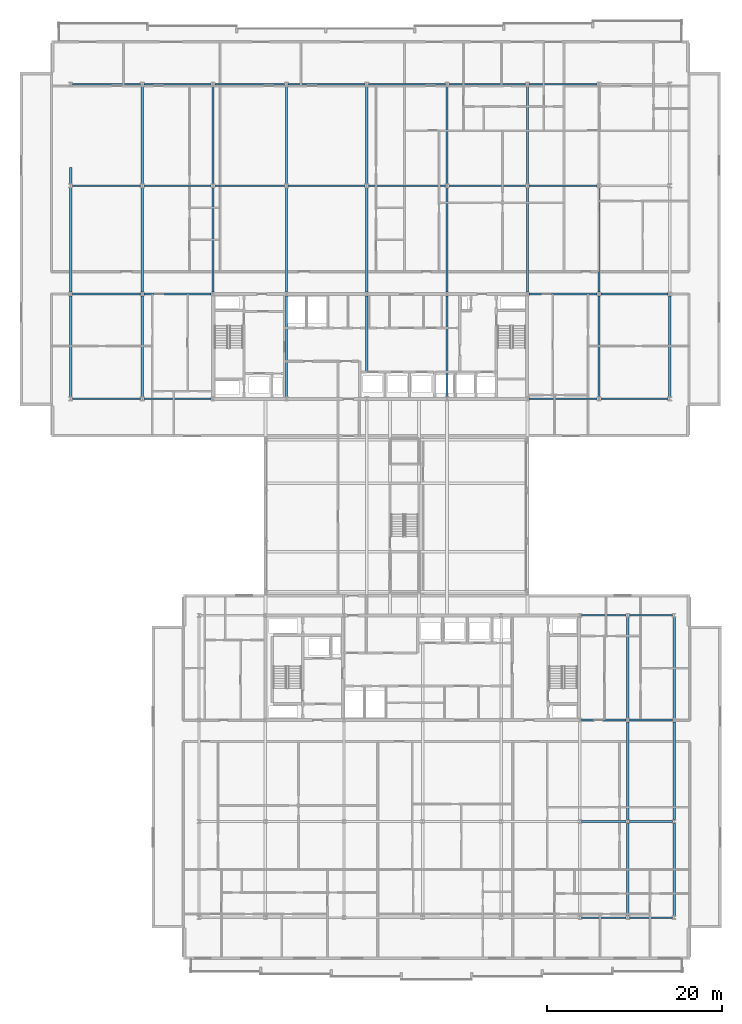
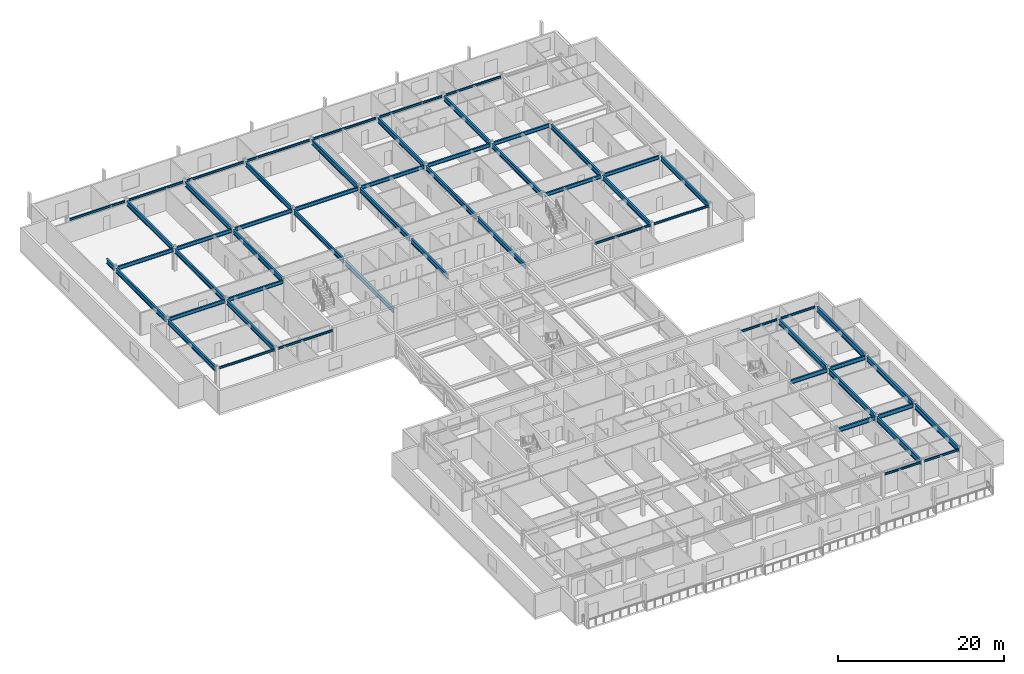
# One storey, part 13 of 36: 58 beams.
"""IFC4 building model written with IfcOpenShell, lengths in metres."""

from ifc_helpers import new_model, si_unit, direction, frame, origin, origin_2d, place, context, subcontext, project, spatial, i_section, extrude, material, material_profile, profile_set, type_object, element, save


model = new_model("IFC4")

# Units and contexts
model_context = context("Model", 3, precision=1e-05, world=origin(), true_north=direction((0.0, 1.0)))
body_context = subcontext(model_context, "Body", "Model", "MODEL_VIEW")
ifc_project = project(units=[si_unit("LENGTHUNIT", "METRE"), si_unit("AREAUNIT", "SQUARE_METRE"), si_unit("VOLUMEUNIT", "CUBIC_METRE"), si_unit("PLANEANGLEUNIT", "RADIAN"), si_unit("MASSUNIT", "GRAM", prefix="KILO")], contexts=[model_context])

# Site, building, storey
site_placement = place(None, origin())
site = spatial("IfcSite", under=ifc_project, at=site_placement, CompositionType="ELEMENT")
building_placement = place(site_placement, origin())
building = spatial("IfcBuilding", under=site, at=building_placement, Name="Korimba Cascade Residences", CompositionType="ELEMENT")
storey_placement = place(building_placement, frame((0.0, 0.0, 139.300048828125)))
storey = spatial("IfcBuildingStorey", under=building, at=storey_placement, Name="L40", CompositionType="ELEMENT", Elevation=139.300048828125)

# Beams
ifc_material = material(Name="Steel S355", Category="steel")
ifc_material_profile_1 = material_profile(ifc_material, i_section(OverallWidth=0.165771484375, OverallDepth=0.306640625, WebThickness=0.006591796875, FlangeThickness=0.01171875, FilletRadius=0.0087890625, at=origin_2d()), Name="Steel S355")
ifc_profile_set_1 = profile_set([ifc_material_profile_1], Name="Steel S355")
beam_type_1 = type_object("IfcBeamType", Name="BM-STL-UB305", PredefinedType="SPANDREL", material=ifc_profile_set_1)
beam_1_placement = place(storey_placement, frame((60.006103515625, 55.199951171875, 3.15673828125), z_axis=(1.0, 0.0, 0.0), x_axis=(0.0, 1.0, 0.0)))
element("IfcBeam", 1, at=beam_1_placement, inside=storey, type_object=beam_type_1, Name="L40 T1 E-W Girder Y1 Bay 1", PredefinedType="SPANDREL", context=body_context, shape_type="SweptSolid", body=[
    extrude(i_section(OverallWidth=0.165771484375, OverallDepth=0.306640625, WebThickness=0.006591796875, FlangeThickness=0.01171875, FilletRadius=0.0087890625, at=origin_2d()), origin(), (0.0, 0.0, 1.0), 7.787841796875),
])
beam_2_placement = place(storey_placement, frame((68.2060546875, 55.199951171875, 3.15673828125), z_axis=(1.0, 0.0, 0.0), x_axis=(0.0, 1.0, 0.0)))
element("IfcBeam", 2, at=beam_2_placement, inside=storey, type_object=beam_type_1, Name="L40 T1 E-W Girder Y1 Bay 2", PredefinedType="SPANDREL", context=body_context, shape_type="SweptSolid", body=[
    extrude(i_section(OverallWidth=0.165771484375, OverallDepth=0.306640625, WebThickness=0.006591796875, FlangeThickness=0.01171875, FilletRadius=0.0087890625, at=origin_2d()), origin(), (0.0, 0.0, 1.0), 7.687744140625),
])
beam_3_placement = place(storey_placement, frame((112.30615234375, 55.199951171875, 3.15673828125), z_axis=(1.0, 0.0, 0.0), x_axis=(0.0, 1.0, 0.0)))
element("IfcBeam", 3, at=beam_3_placement, inside=storey, type_object=beam_type_1, Name="L40 T1 E-W Girder Y1 Bay 7", PredefinedType="SPANDREL", context=body_context, shape_type="SweptSolid", body=[
    extrude(i_section(OverallWidth=0.165771484375, OverallDepth=0.306640625, WebThickness=0.006591796875, FlangeThickness=0.01171875, FilletRadius=0.0087890625, at=origin_2d()), origin(), (0.0, 0.0, 1.0), 7.787841796875),
])
beam_4_placement = place(storey_placement, frame((120.506103515625, 55.199951171875, 3.15673828125), z_axis=(1.0, 0.0, 0.0), x_axis=(0.0, 1.0, 0.0)))
element("IfcBeam", 4, at=beam_4_placement, inside=storey, type_object=beam_type_1, Name="L40 T1 E-W Girder Y1 Bay 8", PredefinedType="SPANDREL", context=body_context, shape_type="SweptSolid", body=[
    extrude(i_section(OverallWidth=0.165771484375, OverallDepth=0.306640625, WebThickness=0.006591796875, FlangeThickness=0.01171875, FilletRadius=0.0087890625, at=origin_2d()), origin(), (0.0, 0.0, 1.0), 7.687744140625),
])
beam_5_placement = place(storey_placement, frame((60.006103515625, 91.199951171875, 3.15673828125), z_axis=(1.0, 0.0, 0.0), x_axis=(0.0, 1.0, 0.0)))
element("IfcBeam", 5, at=beam_5_placement, inside=storey, type_object=beam_type_1, Name="L40 T1 E-W Girder Y4 Bay 1", PredefinedType="SPANDREL", context=body_context, shape_type="SweptSolid", body=[
    extrude(i_section(OverallWidth=0.165771484375, OverallDepth=0.306640625, WebThickness=0.006591796875, FlangeThickness=0.01171875, FilletRadius=0.0087890625, at=origin_2d()), origin(), (0.0, 0.0, 1.0), 7.787841796875),
])
beam_6_placement = place(storey_placement, frame((68.2060546875, 91.199951171875, 3.15673828125), z_axis=(1.0, 0.0, 0.0), x_axis=(0.0, 1.0, 0.0)))
element("IfcBeam", 6, at=beam_6_placement, inside=storey, type_object=beam_type_1, Name="L40 T1 E-W Girder Y4 Bay 2", PredefinedType="SPANDREL", context=body_context, shape_type="SweptSolid", body=[
    extrude(i_section(OverallWidth=0.165771484375, OverallDepth=0.306640625, WebThickness=0.006591796875, FlangeThickness=0.01171875, FilletRadius=0.0087890625, at=origin_2d()), origin(), (0.0, 0.0, 1.0), 7.687744140625),
])
beam_7_placement = place(storey_placement, frame((76.30615234375, 91.199951171875, 3.15673828125), z_axis=(1.0, 0.0, 0.0), x_axis=(0.0, 1.0, 0.0)))
element("IfcBeam", 7, at=beam_7_placement, inside=storey, type_object=beam_type_1, Name="L40 T1 E-W Girder Y4 Bay 3", PredefinedType="SPANDREL", context=body_context, shape_type="SweptSolid", body=[
    extrude(i_section(OverallWidth=0.165771484375, OverallDepth=0.306640625, WebThickness=0.006591796875, FlangeThickness=0.01171875, FilletRadius=0.0087890625, at=origin_2d()), origin(), (0.0, 0.0, 1.0), 7.98779296875),
])
for number, where, z_axis, x_axis, name in (
    (8, (84.7060546875, 91.199951171875, 3.15673828125), (1.0, 0.0, 0.0), (0.0, 1.0, 0.0), "L40 T1 E-W Girder Y4 Bay 4"),
    (9, (93.906005859375, 91.199951171875, 3.15673828125), (1.0, 0.0, 0.0), (0.0, 1.0, 0.0), "L40 T1 E-W Girder Y4 Bay 5"),
):
    element("IfcBeam", number, at=place(storey_placement, frame(where, z_axis=z_axis, x_axis=x_axis)), inside=storey, type_object=beam_type_1, Name=name, PredefinedType="SPANDREL", context=body_context, shape_type="SweptSolid", body=[
        extrude(i_section(OverallWidth=0.165771484375, OverallDepth=0.306640625, WebThickness=0.006591796875, FlangeThickness=0.01171875, FilletRadius=0.0087890625, at=origin_2d()), origin(), (0.0, 0.0, 1.0), 8.787841796875),
    ])
beam_8_placement = place(storey_placement, frame((103.106201171875, 91.199951171875, 3.15673828125), z_axis=(1.0, 0.0, 0.0), x_axis=(0.0, 1.0, 0.0)))
element("IfcBeam", 10, at=beam_8_placement, inside=storey, type_object=beam_type_1, Name="L40 T1 E-W Girder Y4 Bay 6", PredefinedType="SPANDREL", context=body_context, shape_type="SweptSolid", body=[
    extrude(i_section(OverallWidth=0.165771484375, OverallDepth=0.306640625, WebThickness=0.006591796875, FlangeThickness=0.01171875, FilletRadius=0.0087890625, at=origin_2d()), origin(), (0.0, 0.0, 1.0), 8.78759765625),
])
beam_9_placement = place(storey_placement, frame((112.30615234375, 91.199951171875, 3.15673828125), z_axis=(1.0, 0.0, 0.0), x_axis=(0.0, 1.0, 0.0)))
element("IfcBeam", 11, at=beam_9_placement, inside=storey, type_object=beam_type_1, Name="L40 T1 E-W Girder Y4 Bay 7", PredefinedType="SPANDREL", context=body_context, shape_type="SweptSolid", body=[
    extrude(i_section(OverallWidth=0.165771484375, OverallDepth=0.306640625, WebThickness=0.006591796875, FlangeThickness=0.01171875, FilletRadius=0.0087890625, at=origin_2d()), origin(), (0.0, 0.0, 1.0), 7.787841796875),
])
beam_10_placement = place(storey_placement, frame((118.301513671875, -4.199951171875, 3.15673828125), z_axis=(1.0, 0.0, 0.0), x_axis=(0.0, 1.0, 0.0)))
element("IfcBeam", 12, at=beam_10_placement, inside=storey, type_object=beam_type_1, Name="L40 T2 E-W Girder Y1 Bay 6", PredefinedType="SPANDREL", context=body_context, shape_type="SweptSolid", body=[
    extrude(i_section(OverallWidth=0.165771484375, OverallDepth=0.306640625, WebThickness=0.006591796875, FlangeThickness=0.01171875, FilletRadius=0.0087890625, at=origin_2d()), origin(), (0.0, 0.0, 1.0), 5.096923828125),
])
beam_11_placement = place(storey_placement, frame((123.801513671875, -4.199951171875, 3.15673828125), z_axis=(1.0, 0.0, 0.0), x_axis=(0.0, 1.0, 0.0)))
element("IfcBeam", 13, at=beam_11_placement, inside=storey, type_object=beam_type_1, Name="L40 T2 E-W Girder Y1 Bay 7", PredefinedType="SPANDREL", context=body_context, shape_type="SweptSolid", body=[
    extrude(i_section(OverallWidth=0.165771484375, OverallDepth=0.306640625, WebThickness=0.006591796875, FlangeThickness=0.01171875, FilletRadius=0.0087890625, at=origin_2d()), origin(), (0.0, 0.0, 1.0), 4.89697265625),
])
beam_12_placement = place(storey_placement, frame((118.301513671875, 30.39990234375, 3.15673828125), z_axis=(1.0, 0.0, 0.0), x_axis=(0.0, 1.0, 0.0)))
element("IfcBeam", 14, at=beam_12_placement, inside=storey, type_object=beam_type_1, Name="L40 T2 E-W Girder Y4 Bay 6", PredefinedType="SPANDREL", context=body_context, shape_type="SweptSolid", body=[
    extrude(i_section(OverallWidth=0.165771484375, OverallDepth=0.306640625, WebThickness=0.006591796875, FlangeThickness=0.01171875, FilletRadius=0.0087890625, at=origin_2d()), origin(), (0.0, 0.0, 1.0), 5.096923828125),
])
beam_13_placement = place(storey_placement, frame((123.801513671875, 30.39990234375, 3.15673828125), z_axis=(1.0, 0.0, 0.0), x_axis=(0.0, 1.0, 0.0)))
element("IfcBeam", 15, at=beam_13_placement, inside=storey, type_object=beam_type_1, Name="L40 T2 E-W Girder Y4 Bay 7", PredefinedType="SPANDREL", context=body_context, shape_type="SweptSolid", body=[
    extrude(i_section(OverallWidth=0.165771484375, OverallDepth=0.306640625, WebThickness=0.006591796875, FlangeThickness=0.01171875, FilletRadius=0.0087890625, at=origin_2d()), origin(), (0.0, 0.0, 1.0), 4.89697265625),
])
ifc_material_profile_2 = material_profile(ifc_material, i_section(OverallWidth=0.2099609375, OverallDepth=0.53662109375, WebThickness=0.0107421875, FlangeThickness=0.017333984375, FilletRadius=0.0126953125, at=origin_2d()), Name="Steel S355")
ifc_profile_set_2 = profile_set([ifc_material_profile_2], Name="Steel S355")
beam_type_2 = type_object("IfcBeamType", Name="BM-STL-UB533", PredefinedType="BEAM", material=ifc_profile_set_2)
beam_14_placement = place(storey_placement, frame((60.006103515625, 67.199951171875, 3.041748046875), z_axis=(1.0, 0.0, 0.0), x_axis=(0.0, 1.0, 0.0)))
element("IfcBeam", 16, at=beam_14_placement, inside=storey, type_object=beam_type_2, Name="L40 T1 E-W Girder Y2 Bay 1", PredefinedType="BEAM", context=body_context, shape_type="SweptSolid", body=[
    extrude(i_section(OverallWidth=0.2099609375, OverallDepth=0.53662109375, WebThickness=0.0107421875, FlangeThickness=0.017333984375, FilletRadius=0.0126953125, at=origin_2d()), origin(), (0.0, 0.0, 1.0), 7.787841796875),
])
beam_15_placement = place(storey_placement, frame((68.2060546875, 67.199951171875, 3.041748046875), z_axis=(1.0, 0.0, 0.0), x_axis=(0.0, 1.0, 0.0)))
element("IfcBeam", 17, at=beam_15_placement, inside=storey, type_object=beam_type_2, Name="L40 T1 E-W Girder Y2 Bay 2", PredefinedType="BEAM", context=body_context, shape_type="SweptSolid", body=[
    extrude(i_section(OverallWidth=0.2099609375, OverallDepth=0.53662109375, WebThickness=0.0107421875, FlangeThickness=0.017333984375, FilletRadius=0.0126953125, at=origin_2d()), origin(), (0.0, 0.0, 1.0), 7.687744140625),
])
beam_16_placement = place(storey_placement, frame((112.30615234375, 67.199951171875, 3.041748046875), z_axis=(1.0, 0.0, 0.0), x_axis=(0.0, 1.0, 0.0)))
element("IfcBeam", 18, at=beam_16_placement, inside=storey, type_object=beam_type_2, Name="L40 T1 E-W Girder Y2 Bay 7", PredefinedType="BEAM", context=body_context, shape_type="SweptSolid", body=[
    extrude(i_section(OverallWidth=0.2099609375, OverallDepth=0.53662109375, WebThickness=0.0107421875, FlangeThickness=0.017333984375, FilletRadius=0.0126953125, at=origin_2d()), origin(), (0.0, 0.0, 1.0), 7.787841796875),
])
beam_17_placement = place(storey_placement, frame((120.506103515625, 67.199951171875, 3.041748046875), z_axis=(1.0, 0.0, 0.0), x_axis=(0.0, 1.0, 0.0)))
element("IfcBeam", 19, at=beam_17_placement, inside=storey, type_object=beam_type_2, Name="L40 T1 E-W Girder Y2 Bay 8", PredefinedType="BEAM", context=body_context, shape_type="SweptSolid", body=[
    extrude(i_section(OverallWidth=0.2099609375, OverallDepth=0.53662109375, WebThickness=0.0107421875, FlangeThickness=0.017333984375, FilletRadius=0.0126953125, at=origin_2d()), origin(), (0.0, 0.0, 1.0), 7.687744140625),
])
beam_18_placement = place(storey_placement, frame((60.006103515625, 79.60009765625, 3.041748046875), z_axis=(1.0, 0.0, 0.0), x_axis=(0.0, 1.0, 0.0)))
element("IfcBeam", 20, at=beam_18_placement, inside=storey, type_object=beam_type_2, Name="L40 T1 E-W Girder Y3 Bay 1", PredefinedType="BEAM", context=body_context, shape_type="SweptSolid", body=[
    extrude(i_section(OverallWidth=0.2099609375, OverallDepth=0.53662109375, WebThickness=0.0107421875, FlangeThickness=0.017333984375, FilletRadius=0.0126953125, at=origin_2d()), origin(), (0.0, 0.0, 1.0), 7.787841796875),
])
beam_19_placement = place(storey_placement, frame((68.2060546875, 79.60009765625, 3.041748046875), z_axis=(1.0, 0.0, 0.0), x_axis=(0.0, 1.0, 0.0)))
element("IfcBeam", 21, at=beam_19_placement, inside=storey, type_object=beam_type_2, Name="L40 T1 E-W Girder Y3 Bay 2", PredefinedType="BEAM", context=body_context, shape_type="SweptSolid", body=[
    extrude(i_section(OverallWidth=0.2099609375, OverallDepth=0.53662109375, WebThickness=0.0107421875, FlangeThickness=0.017333984375, FilletRadius=0.0126953125, at=origin_2d()), origin(), (0.0, 0.0, 1.0), 7.687744140625),
])
beam_20_placement = place(storey_placement, frame((76.30615234375, 79.60009765625, 3.041748046875), z_axis=(1.0, 0.0, 0.0), x_axis=(0.0, 1.0, 0.0)))
element("IfcBeam", 22, at=beam_20_placement, inside=storey, type_object=beam_type_2, Name="L40 T1 E-W Girder Y3 Bay 3", PredefinedType="BEAM", context=body_context, shape_type="SweptSolid", body=[
    extrude(i_section(OverallWidth=0.2099609375, OverallDepth=0.53662109375, WebThickness=0.0107421875, FlangeThickness=0.017333984375, FilletRadius=0.0126953125, at=origin_2d()), origin(), (0.0, 0.0, 1.0), 7.98779296875),
])
for number, where, z_axis, x_axis, name in (
    (23, (84.7060546875, 79.60009765625, 3.041748046875), (1.0, 0.0, 0.0), (0.0, 1.0, 0.0), "L40 T1 E-W Girder Y3 Bay 4"),
    (24, (93.906005859375, 79.60009765625, 3.041748046875), (1.0, 0.0, 0.0), (0.0, 1.0, 0.0), "L40 T1 E-W Girder Y3 Bay 5"),
):
    element("IfcBeam", number, at=place(storey_placement, frame(where, z_axis=z_axis, x_axis=x_axis)), inside=storey, type_object=beam_type_2, Name=name, PredefinedType="BEAM", context=body_context, shape_type="SweptSolid", body=[
        extrude(i_section(OverallWidth=0.2099609375, OverallDepth=0.53662109375, WebThickness=0.0107421875, FlangeThickness=0.017333984375, FilletRadius=0.0126953125, at=origin_2d()), origin(), (0.0, 0.0, 1.0), 8.787841796875),
    ])
beam_21_placement = place(storey_placement, frame((103.106201171875, 79.60009765625, 3.041748046875), z_axis=(1.0, 0.0, 0.0), x_axis=(0.0, 1.0, 0.0)))
element("IfcBeam", 25, at=beam_21_placement, inside=storey, type_object=beam_type_2, Name="L40 T1 E-W Girder Y3 Bay 6", PredefinedType="BEAM", context=body_context, shape_type="SweptSolid", body=[
    extrude(i_section(OverallWidth=0.2099609375, OverallDepth=0.53662109375, WebThickness=0.0107421875, FlangeThickness=0.017333984375, FilletRadius=0.0126953125, at=origin_2d()), origin(), (0.0, 0.0, 1.0), 8.78759765625),
])
beam_22_placement = place(storey_placement, frame((112.30615234375, 79.60009765625, 3.041748046875), z_axis=(1.0, 0.0, 0.0), x_axis=(0.0, 1.0, 0.0)))
element("IfcBeam", 26, at=beam_22_placement, inside=storey, type_object=beam_type_2, Name="L40 T1 E-W Girder Y3 Bay 7", PredefinedType="BEAM", context=body_context, shape_type="SweptSolid", body=[
    extrude(i_section(OverallWidth=0.2099609375, OverallDepth=0.53662109375, WebThickness=0.0107421875, FlangeThickness=0.017333984375, FilletRadius=0.0126953125, at=origin_2d()), origin(), (0.0, 0.0, 1.0), 7.787841796875),
])
ifc_material_profile_3 = material_profile(ifc_material, i_section(OverallWidth=0.22900390625, OverallDepth=0.6123046875, WebThickness=0.011962890625, FlangeThickness=0.01953125, FilletRadius=0.0126953125, at=origin_2d()), Name="Steel S355")
ifc_profile_set_3 = profile_set([ifc_material_profile_3], Name="Steel S355")
beam_type_3 = type_object("IfcBeamType", Name="BM-STL-UB610B", PredefinedType="BEAM", material=ifc_profile_set_3)
beam_23_placement = place(storey_placement, frame((118.301513671875, 6.800048828125, 3.00390625), z_axis=(1.0, 0.0, 0.0), x_axis=(0.0, 1.0, 0.0)))
element("IfcBeam", 27, at=beam_23_placement, inside=storey, type_object=beam_type_3, Name="L40 T2 E-W Girder Y2 Bay 6", PredefinedType="BEAM", context=body_context, shape_type="SweptSolid", body=[
    extrude(i_section(OverallWidth=0.22900390625, OverallDepth=0.6123046875, WebThickness=0.011962890625, FlangeThickness=0.01953125, FilletRadius=0.0126953125, at=origin_2d()), origin(), (0.0, 0.0, 1.0), 5.096923828125),
])
beam_24_placement = place(storey_placement, frame((123.801513671875, 6.800048828125, 3.00390625), z_axis=(1.0, 0.0, 0.0), x_axis=(0.0, 1.0, 0.0)))
element("IfcBeam", 28, at=beam_24_placement, inside=storey, type_object=beam_type_3, Name="L40 T2 E-W Girder Y2 Bay 7", PredefinedType="BEAM", context=body_context, shape_type="SweptSolid", body=[
    extrude(i_section(OverallWidth=0.22900390625, OverallDepth=0.6123046875, WebThickness=0.011962890625, FlangeThickness=0.01953125, FilletRadius=0.0126953125, at=origin_2d()), origin(), (0.0, 0.0, 1.0), 4.89697265625),
])
beam_25_placement = place(storey_placement, frame((118.301513671875, 18.39990234375, 3.00390625), z_axis=(1.0, 0.0, 0.0), x_axis=(0.0, 1.0, 0.0)))
element("IfcBeam", 29, at=beam_25_placement, inside=storey, type_object=beam_type_3, Name="L40 T2 E-W Girder Y3 Bay 6", PredefinedType="BEAM", context=body_context, shape_type="SweptSolid", body=[
    extrude(i_section(OverallWidth=0.22900390625, OverallDepth=0.6123046875, WebThickness=0.011962890625, FlangeThickness=0.01953125, FilletRadius=0.0126953125, at=origin_2d()), origin(), (0.0, 0.0, 1.0), 5.096923828125),
])
beam_26_placement = place(storey_placement, frame((123.801513671875, 18.39990234375, 3.00390625), z_axis=(1.0, 0.0, 0.0), x_axis=(0.0, 1.0, 0.0)))
element("IfcBeam", 30, at=beam_26_placement, inside=storey, type_object=beam_type_3, Name="L40 T2 E-W Girder Y3 Bay 7", PredefinedType="BEAM", context=body_context, shape_type="SweptSolid", body=[
    extrude(i_section(OverallWidth=0.22900390625, OverallDepth=0.6123046875, WebThickness=0.011962890625, FlangeThickness=0.01953125, FilletRadius=0.0126953125, at=origin_2d()), origin(), (0.0, 0.0, 1.0), 4.89697265625),
])
ifc_material_profile_4 = material_profile(ifc_material, i_section(OverallWidth=0.255859375, OverallDepth=0.69287109375, WebThickness=0.014404296875, FlangeThickness=0.023681640625, FilletRadius=0.01513671875, at=origin_2d()), Name="Steel S355")
ifc_profile_set_4 = profile_set([ifc_material_profile_4], Name="Steel S355")
beam_type_4 = type_object("IfcBeamType", Name="BM-STL-UB686", PredefinedType="BEAM", material=ifc_profile_set_4)
beam_27_placement = place(storey_placement, frame((59.800048828125, 55.418212890625, 2.963623046875), z_axis=(0.0, 1.0, 0.0), x_axis=(-1.0, 0.0, 0.0)))
element("IfcBeam", 31, at=beam_27_placement, inside=storey, type_object=beam_type_4, Name="L40 T1 N-S Girder X1 Seg 1", PredefinedType="BEAM", context=body_context, shape_type="SweptSolid", body=[
    extrude(i_section(OverallWidth=0.255859375, OverallDepth=0.69287109375, WebThickness=0.014404296875, FlangeThickness=0.023681640625, FilletRadius=0.01513671875, at=origin_2d()), origin(), (0.0, 0.0, 1.0), 11.5634765625),
])
beam_28_placement = place(storey_placement, frame((59.800048828125, 67.418212890625, 2.963623046875), z_axis=(0.0, 1.0, 0.0), x_axis=(-1.0, 0.0, 0.0)))
element("IfcBeam", 32, at=beam_28_placement, inside=storey, type_object=beam_type_4, Name="L40 T1 N-S Girder X1 Seg 2", PredefinedType="BEAM", context=body_context, shape_type="SweptSolid", body=[
    extrude(i_section(OverallWidth=0.255859375, OverallDepth=0.69287109375, WebThickness=0.014404296875, FlangeThickness=0.023681640625, FilletRadius=0.01513671875, at=origin_2d()), origin(), (0.0, 0.0, 1.0), 11.96337890625),
])
beam_29_placement = place(storey_placement, frame((59.800048828125, 79.818359375, 2.963623046875), z_axis=(0.0, 1.0, 0.0), x_axis=(-1.0, 0.0, 0.0)))
element("IfcBeam", 33, at=beam_29_placement, inside=storey, type_object=beam_type_4, Name="L40 T1 N-S Girder X1 Seg 3", PredefinedType="BEAM", context=body_context, shape_type="SweptSolid", body=[
    extrude(i_section(OverallWidth=0.255859375, OverallDepth=0.69287109375, WebThickness=0.014404296875, FlangeThickness=0.023681640625, FilletRadius=0.01513671875, at=origin_2d()), origin(), (0.0, 0.0, 1.0), 1.881591796875),
])
beam_30_placement = place(storey_placement, frame((68.0, 55.418212890625, 2.963623046875), z_axis=(0.0, 1.0, 0.0), x_axis=(-1.0, 0.0, 0.0)))
element("IfcBeam", 34, at=beam_30_placement, inside=storey, type_object=beam_type_4, Name="L40 T1 N-S Girder X2 Seg 1", PredefinedType="BEAM", context=body_context, shape_type="SweptSolid", body=[
    extrude(i_section(OverallWidth=0.255859375, OverallDepth=0.69287109375, WebThickness=0.014404296875, FlangeThickness=0.023681640625, FilletRadius=0.01513671875, at=origin_2d()), origin(), (0.0, 0.0, 1.0), 11.5634765625),
])
beam_31_placement = place(storey_placement, frame((68.0, 67.418212890625, 2.963623046875), z_axis=(0.0, 1.0, 0.0), x_axis=(-1.0, 0.0, 0.0)))
element("IfcBeam", 35, at=beam_31_placement, inside=storey, type_object=beam_type_4, Name="L40 T1 N-S Girder X2 Seg 2", PredefinedType="BEAM", context=body_context, shape_type="SweptSolid", body=[
    extrude(i_section(OverallWidth=0.255859375, OverallDepth=0.69287109375, WebThickness=0.014404296875, FlangeThickness=0.023681640625, FilletRadius=0.01513671875, at=origin_2d()), origin(), (0.0, 0.0, 1.0), 11.96337890625),
])
beam_32_placement = place(storey_placement, frame((68.0, 79.818359375, 2.963623046875), z_axis=(0.0, 1.0, 0.0), x_axis=(-1.0, 0.0, 0.0)))
element("IfcBeam", 36, at=beam_32_placement, inside=storey, type_object=beam_type_4, Name="L40 T1 N-S Girder X2 Seg 3", PredefinedType="BEAM", context=body_context, shape_type="SweptSolid", body=[
    extrude(i_section(OverallWidth=0.255859375, OverallDepth=0.69287109375, WebThickness=0.014404296875, FlangeThickness=0.023681640625, FilletRadius=0.01513671875, at=origin_2d()), origin(), (0.0, 0.0, 1.0), 11.163330078125),
])
beam_33_placement = place(storey_placement, frame((76.10009765625, 67.418212890625, 2.963623046875), z_axis=(0.0, 1.0, 0.0), x_axis=(-1.0, 0.0, 0.0)))
element("IfcBeam", 37, at=beam_33_placement, inside=storey, type_object=beam_type_4, Name="L40 T1 N-S Girder X3 Seg 2", PredefinedType="BEAM", context=body_context, shape_type="SweptSolid", body=[
    extrude(i_section(OverallWidth=0.255859375, OverallDepth=0.69287109375, WebThickness=0.014404296875, FlangeThickness=0.023681640625, FilletRadius=0.01513671875, at=origin_2d()), origin(), (0.0, 0.0, 1.0), 11.96337890625),
])
beam_34_placement = place(storey_placement, frame((76.10009765625, 79.818359375, 2.963623046875), z_axis=(0.0, 1.0, 0.0), x_axis=(-1.0, 0.0, 0.0)))
element("IfcBeam", 38, at=beam_34_placement, inside=storey, type_object=beam_type_4, Name="L40 T1 N-S Girder X3 Seg 3", PredefinedType="BEAM", context=body_context, shape_type="SweptSolid", body=[
    extrude(i_section(OverallWidth=0.255859375, OverallDepth=0.69287109375, WebThickness=0.014404296875, FlangeThickness=0.023681640625, FilletRadius=0.01513671875, at=origin_2d()), origin(), (0.0, 0.0, 1.0), 11.163330078125),
])
beam_35_placement = place(storey_placement, frame((84.5, 55.418212890625, 2.963623046875), z_axis=(0.0, 1.0, 0.0), x_axis=(-1.0, 0.0, 0.0)))
element("IfcBeam", 39, at=beam_35_placement, inside=storey, type_object=beam_type_4, Name="L40 T1 N-S Girder X4 Seg 1", PredefinedType="BEAM", context=body_context, shape_type="SweptSolid", body=[
    extrude(i_section(OverallWidth=0.255859375, OverallDepth=0.69287109375, WebThickness=0.014404296875, FlangeThickness=0.023681640625, FilletRadius=0.01513671875, at=origin_2d()), origin(), (0.0, 0.0, 1.0), 11.5634765625),
])
beam_36_placement = place(storey_placement, frame((84.5, 67.418212890625, 2.963623046875), z_axis=(0.0, 1.0, 0.0), x_axis=(-1.0, 0.0, 0.0)))
element("IfcBeam", 40, at=beam_36_placement, inside=storey, type_object=beam_type_4, Name="L40 T1 N-S Girder X4 Seg 2", PredefinedType="BEAM", context=body_context, shape_type="SweptSolid", body=[
    extrude(i_section(OverallWidth=0.255859375, OverallDepth=0.69287109375, WebThickness=0.014404296875, FlangeThickness=0.023681640625, FilletRadius=0.01513671875, at=origin_2d()), origin(), (0.0, 0.0, 1.0), 11.96337890625),
])
beam_37_placement = place(storey_placement, frame((84.5, 79.818359375, 2.963623046875), z_axis=(0.0, 1.0, 0.0), x_axis=(-1.0, 0.0, 0.0)))
element("IfcBeam", 41, at=beam_37_placement, inside=storey, type_object=beam_type_4, Name="L40 T1 N-S Girder X4 Seg 3", PredefinedType="BEAM", context=body_context, shape_type="SweptSolid", body=[
    extrude(i_section(OverallWidth=0.255859375, OverallDepth=0.69287109375, WebThickness=0.014404296875, FlangeThickness=0.023681640625, FilletRadius=0.01513671875, at=origin_2d()), origin(), (0.0, 0.0, 1.0), 11.163330078125),
])
beam_38_placement = place(storey_placement, frame((93.699951171875, 58.159912109375, 2.963623046875), z_axis=(0.0, 1.0, 0.0), x_axis=(-1.0, 0.0, 0.0)))
element("IfcBeam", 42, at=beam_38_placement, inside=storey, type_object=beam_type_4, Name="L40 T1 N-S Girder X5 Seg 1", PredefinedType="BEAM", context=body_context, shape_type="SweptSolid", body=[
    extrude(i_section(OverallWidth=0.255859375, OverallDepth=0.69287109375, WebThickness=0.014404296875, FlangeThickness=0.023681640625, FilletRadius=0.01513671875, at=origin_2d()), origin(), (0.0, 0.0, 1.0), 8.82177734375),
])
beam_39_placement = place(storey_placement, frame((93.699951171875, 67.418212890625, 2.963623046875), z_axis=(0.0, 1.0, 0.0), x_axis=(-1.0, 0.0, 0.0)))
element("IfcBeam", 43, at=beam_39_placement, inside=storey, type_object=beam_type_4, Name="L40 T1 N-S Girder X5 Seg 2", PredefinedType="BEAM", context=body_context, shape_type="SweptSolid", body=[
    extrude(i_section(OverallWidth=0.255859375, OverallDepth=0.69287109375, WebThickness=0.014404296875, FlangeThickness=0.023681640625, FilletRadius=0.01513671875, at=origin_2d()), origin(), (0.0, 0.0, 1.0), 11.96337890625),
])
beam_40_placement = place(storey_placement, frame((93.699951171875, 79.818359375, 2.963623046875), z_axis=(0.0, 1.0, 0.0), x_axis=(-1.0, 0.0, 0.0)))
element("IfcBeam", 44, at=beam_40_placement, inside=storey, type_object=beam_type_4, Name="L40 T1 N-S Girder X5 Seg 3", PredefinedType="BEAM", context=body_context, shape_type="SweptSolid", body=[
    extrude(i_section(OverallWidth=0.255859375, OverallDepth=0.69287109375, WebThickness=0.014404296875, FlangeThickness=0.023681640625, FilletRadius=0.01513671875, at=origin_2d()), origin(), (0.0, 0.0, 1.0), 11.163330078125),
])
beam_41_placement = place(storey_placement, frame((102.89990234375, 55.418212890625, 2.963623046875), z_axis=(0.0, 1.0, 0.0), x_axis=(-1.0, 0.0, 0.0)))
element("IfcBeam", 45, at=beam_41_placement, inside=storey, type_object=beam_type_4, Name="L40 T1 N-S Girder X6 Seg 1", PredefinedType="BEAM", context=body_context, shape_type="SweptSolid", body=[
    extrude(i_section(OverallWidth=0.255859375, OverallDepth=0.69287109375, WebThickness=0.014404296875, FlangeThickness=0.023681640625, FilletRadius=0.01513671875, at=origin_2d()), origin(), (0.0, 0.0, 1.0), 11.5634765625),
])
beam_42_placement = place(storey_placement, frame((102.89990234375, 67.418212890625, 2.963623046875), z_axis=(0.0, 1.0, 0.0), x_axis=(-1.0, 0.0, 0.0)))
element("IfcBeam", 46, at=beam_42_placement, inside=storey, type_object=beam_type_4, Name="L40 T1 N-S Girder X6 Seg 2", PredefinedType="BEAM", context=body_context, shape_type="SweptSolid", body=[
    extrude(i_section(OverallWidth=0.255859375, OverallDepth=0.69287109375, WebThickness=0.014404296875, FlangeThickness=0.023681640625, FilletRadius=0.01513671875, at=origin_2d()), origin(), (0.0, 0.0, 1.0), 11.96337890625),
])
beam_43_placement = place(storey_placement, frame((102.89990234375, 79.818359375, 2.963623046875), z_axis=(0.0, 1.0, 0.0), x_axis=(-1.0, 0.0, 0.0)))
element("IfcBeam", 47, at=beam_43_placement, inside=storey, type_object=beam_type_4, Name="L40 T1 N-S Girder X6 Seg 3", PredefinedType="BEAM", context=body_context, shape_type="SweptSolid", body=[
    extrude(i_section(OverallWidth=0.255859375, OverallDepth=0.69287109375, WebThickness=0.014404296875, FlangeThickness=0.023681640625, FilletRadius=0.01513671875, at=origin_2d()), origin(), (0.0, 0.0, 1.0), 11.163330078125),
])
beam_44_placement = place(storey_placement, frame((112.10009765625, 67.418212890625, 2.963623046875), z_axis=(0.0, 1.0, 0.0), x_axis=(-1.0, 0.0, 0.0)))
element("IfcBeam", 48, at=beam_44_placement, inside=storey, type_object=beam_type_4, Name="L40 T1 N-S Girder X7 Seg 2", PredefinedType="BEAM", context=body_context, shape_type="SweptSolid", body=[
    extrude(i_section(OverallWidth=0.255859375, OverallDepth=0.69287109375, WebThickness=0.014404296875, FlangeThickness=0.023681640625, FilletRadius=0.01513671875, at=origin_2d()), origin(), (0.0, 0.0, 1.0), 11.96337890625),
])
beam_45_placement = place(storey_placement, frame((112.10009765625, 79.818359375, 2.963623046875), z_axis=(0.0, 1.0, 0.0), x_axis=(-1.0, 0.0, 0.0)))
element("IfcBeam", 49, at=beam_45_placement, inside=storey, type_object=beam_type_4, Name="L40 T1 N-S Girder X7 Seg 3", PredefinedType="BEAM", context=body_context, shape_type="SweptSolid", body=[
    extrude(i_section(OverallWidth=0.255859375, OverallDepth=0.69287109375, WebThickness=0.014404296875, FlangeThickness=0.023681640625, FilletRadius=0.01513671875, at=origin_2d()), origin(), (0.0, 0.0, 1.0), 11.163330078125),
])
beam_46_placement = place(storey_placement, frame((120.300048828125, 55.418212890625, 2.963623046875), z_axis=(0.0, 1.0, 0.0), x_axis=(-1.0, 0.0, 0.0)))
element("IfcBeam", 50, at=beam_46_placement, inside=storey, type_object=beam_type_4, Name="L40 T1 N-S Girder X8 Seg 1", PredefinedType="BEAM", context=body_context, shape_type="SweptSolid", body=[
    extrude(i_section(OverallWidth=0.255859375, OverallDepth=0.69287109375, WebThickness=0.014404296875, FlangeThickness=0.023681640625, FilletRadius=0.01513671875, at=origin_2d()), origin(), (0.0, 0.0, 1.0), 11.5634765625),
])
beam_47_placement = place(storey_placement, frame((120.300048828125, 67.418212890625, 2.963623046875), z_axis=(0.0, 1.0, 0.0), x_axis=(-1.0, 0.0, 0.0)))
element("IfcBeam", 51, at=beam_47_placement, inside=storey, type_object=beam_type_4, Name="L40 T1 N-S Girder X8 Seg 2", PredefinedType="BEAM", context=body_context, shape_type="SweptSolid", body=[
    extrude(i_section(OverallWidth=0.255859375, OverallDepth=0.69287109375, WebThickness=0.014404296875, FlangeThickness=0.023681640625, FilletRadius=0.01513671875, at=origin_2d()), origin(), (0.0, 0.0, 1.0), 11.96337890625),
])
beam_48_placement = place(storey_placement, frame((128.39990234375, 55.418212890625, 2.963623046875), z_axis=(0.0, 1.0, 0.0), x_axis=(-1.0, 0.0, 0.0)))
element("IfcBeam", 52, at=beam_48_placement, inside=storey, type_object=beam_type_4, Name="L40 T1 N-S Girder X9 Seg 1", PredefinedType="BEAM", context=body_context, shape_type="SweptSolid", body=[
    extrude(i_section(OverallWidth=0.255859375, OverallDepth=0.69287109375, WebThickness=0.014404296875, FlangeThickness=0.023681640625, FilletRadius=0.01513671875, at=origin_2d()), origin(), (0.0, 0.0, 1.0), 11.5634765625),
])
ifc_material_profile_5 = material_profile(ifc_material, i_section(OverallWidth=0.26806640625, OverallDepth=0.769775390625, WebThickness=0.015625, FlangeThickness=0.025390625, FilletRadius=0.0166015625, at=origin_2d()), Name="Steel S355")
ifc_profile_set_5 = profile_set([ifc_material_profile_5], Name="Steel S355")
beam_type_5 = type_object("IfcBeamType", Name="BM-STL-UB762", PredefinedType="BEAM", material=ifc_profile_set_5)
beam_49_placement = place(storey_placement, frame((123.60009765625, -3.996826171875, 2.925048828125), z_axis=(0.0, 1.0, 0.0), x_axis=(-1.0, 0.0, 0.0)))
element("IfcBeam", 53, at=beam_49_placement, inside=storey, type_object=beam_type_5, Name="L40 T2 N-S Girder X7 Seg 1", PredefinedType="BEAM", context=body_context, shape_type="SweptSolid", body=[
    extrude(i_section(OverallWidth=0.26806640625, OverallDepth=0.769775390625, WebThickness=0.015625, FlangeThickness=0.025390625, FilletRadius=0.0166015625, at=origin_2d()), origin(), (0.0, 0.0, 1.0), 10.593505859375),
])
beam_50_placement = place(storey_placement, frame((123.60009765625, 7.003173828125, 2.925048828125), z_axis=(0.0, 1.0, 0.0), x_axis=(-1.0, 0.0, 0.0)))
element("IfcBeam", 54, at=beam_50_placement, inside=storey, type_object=beam_type_5, Name="L40 T2 N-S Girder X7 Seg 2", PredefinedType="BEAM", context=body_context, shape_type="SweptSolid", body=[
    extrude(i_section(OverallWidth=0.26806640625, OverallDepth=0.769775390625, WebThickness=0.015625, FlangeThickness=0.025390625, FilletRadius=0.0166015625, at=origin_2d()), origin(), (0.0, 0.0, 1.0), 11.193603515625),
])
beam_51_placement = place(storey_placement, frame((123.60009765625, 18.603271484375, 2.925048828125), z_axis=(0.0, 1.0, 0.0), x_axis=(-1.0, 0.0, 0.0)))
element("IfcBeam", 55, at=beam_51_placement, inside=storey, type_object=beam_type_5, Name="L40 T2 N-S Girder X7 Seg 3", PredefinedType="BEAM", context=body_context, shape_type="SweptSolid", body=[
    extrude(i_section(OverallWidth=0.26806640625, OverallDepth=0.769775390625, WebThickness=0.015625, FlangeThickness=0.025390625, FilletRadius=0.0166015625, at=origin_2d()), origin(), (0.0, 0.0, 1.0), 11.593505859375),
])
beam_52_placement = place(storey_placement, frame((128.89990234375, -3.996826171875, 2.925048828125), z_axis=(0.0, 1.0, 0.0), x_axis=(-1.0, 0.0, 0.0)))
element("IfcBeam", 56, at=beam_52_placement, inside=storey, type_object=beam_type_5, Name="L40 T2 N-S Girder X8 Seg 1", PredefinedType="BEAM", context=body_context, shape_type="SweptSolid", body=[
    extrude(i_section(OverallWidth=0.26806640625, OverallDepth=0.769775390625, WebThickness=0.015625, FlangeThickness=0.025390625, FilletRadius=0.0166015625, at=origin_2d()), origin(), (0.0, 0.0, 1.0), 10.593505859375),
])
beam_53_placement = place(storey_placement, frame((128.89990234375, 7.003173828125, 2.925048828125), z_axis=(0.0, 1.0, 0.0), x_axis=(-1.0, 0.0, 0.0)))
element("IfcBeam", 57, at=beam_53_placement, inside=storey, type_object=beam_type_5, Name="L40 T2 N-S Girder X8 Seg 2", PredefinedType="BEAM", context=body_context, shape_type="SweptSolid", body=[
    extrude(i_section(OverallWidth=0.26806640625, OverallDepth=0.769775390625, WebThickness=0.015625, FlangeThickness=0.025390625, FilletRadius=0.0166015625, at=origin_2d()), origin(), (0.0, 0.0, 1.0), 11.193603515625),
])
beam_54_placement = place(storey_placement, frame((128.89990234375, 18.603271484375, 2.925048828125), z_axis=(0.0, 1.0, 0.0), x_axis=(-1.0, 0.0, 0.0)))
element("IfcBeam", 58, at=beam_54_placement, inside=storey, type_object=beam_type_5, Name="L40 T2 N-S Girder X8 Seg 3", PredefinedType="BEAM", context=body_context, shape_type="SweptSolid", body=[
    extrude(i_section(OverallWidth=0.26806640625, OverallDepth=0.769775390625, WebThickness=0.015625, FlangeThickness=0.025390625, FilletRadius=0.0166015625, at=origin_2d()), origin(), (0.0, 0.0, 1.0), 11.593505859375),
])

save(model, "model.ifc")
